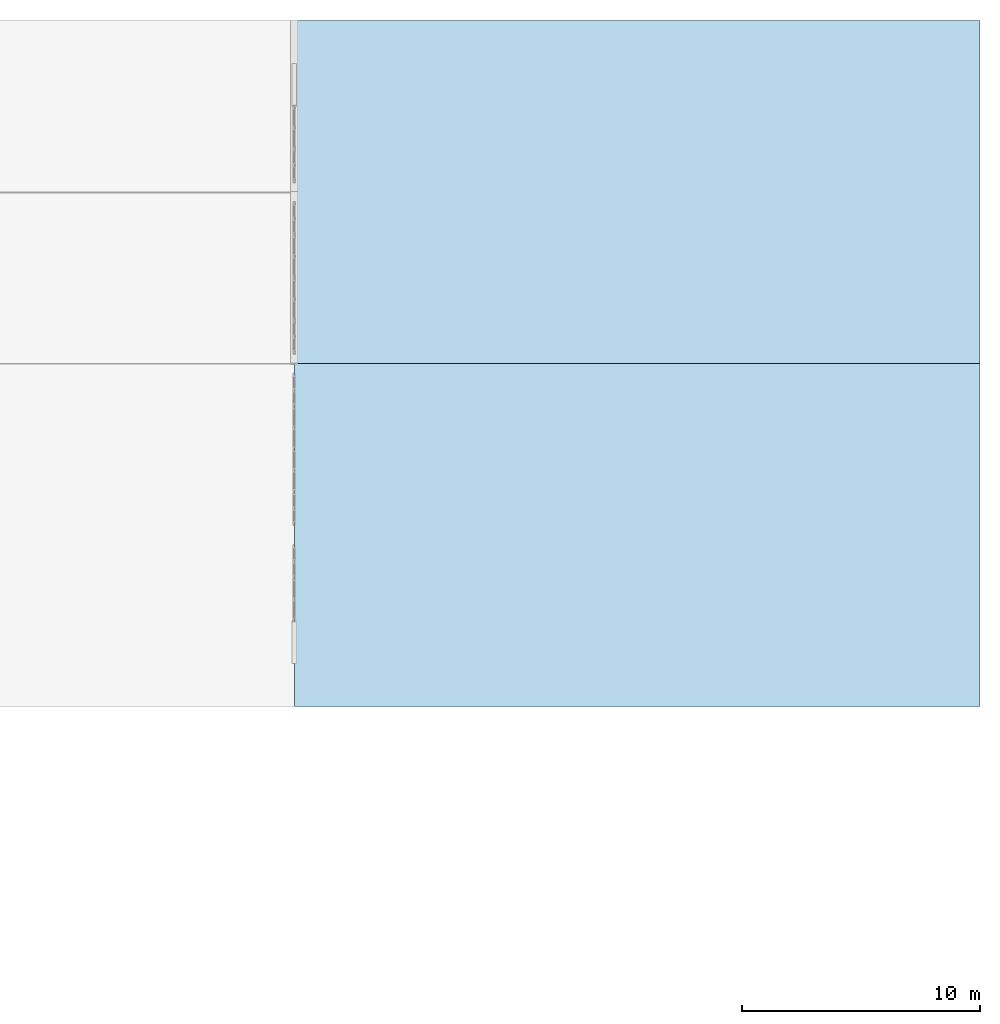
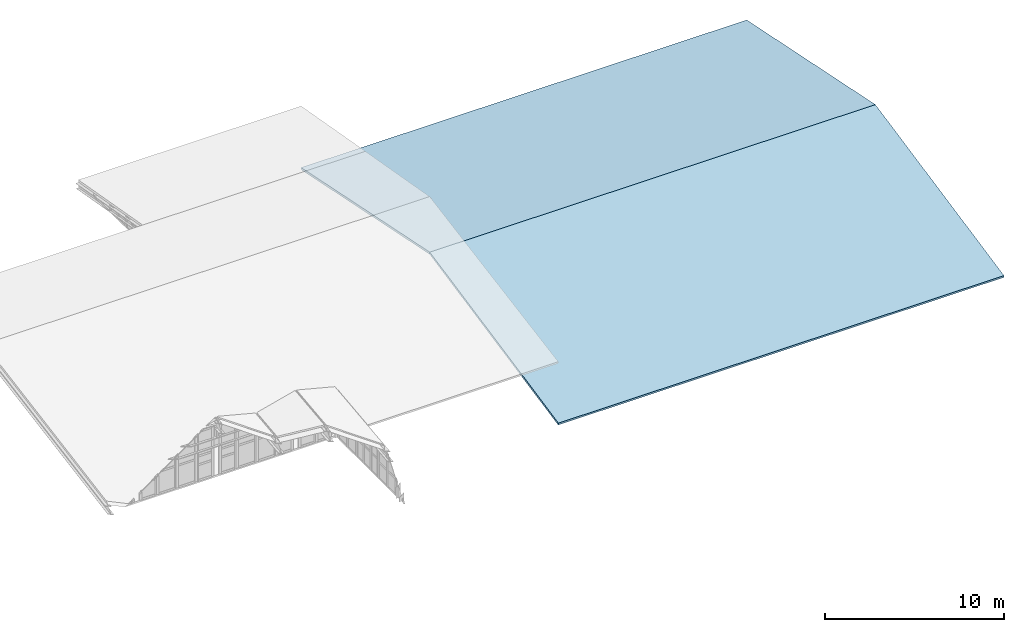
# One storey, part 31 of 39: 2 slabs, 1 element without a shape of its own.
"""IFC4 building model written with IfcOpenShell, lengths in metres."""

from ifc_helpers import new_model, si_unit, direction, frame, origin, place, context, subcontext, project, spatial, polyline, outline, extrude, material, layer, layer_set, type_object, element, aggregate, save


model = new_model("IFC4")

# Units and contexts
model_context = context("Model", 3, precision=1e-05, world=origin(), true_north=direction((0.0, 1.0)))
body_context = subcontext(model_context, "Body", "Model", "MODEL_VIEW")
ifc_project = project(units=[si_unit("LENGTHUNIT", "METRE"), si_unit("AREAUNIT", "SQUARE_METRE"), si_unit("VOLUMEUNIT", "CUBIC_METRE"), si_unit("PLANEANGLEUNIT", "RADIAN"), si_unit("MASSUNIT", "GRAM", prefix="KILO"), si_unit("THERMODYNAMICTEMPERATUREUNIT", "KELVIN"), si_unit("POWERUNIT", "WATT")], contexts=[model_context])

# Site, building, storey
site_placement = place(None, origin())
site = spatial("IfcSite", under=ifc_project, at=site_placement, CompositionType="ELEMENT")
building_placement = place(site_placement, origin())
building = spatial("IfcBuilding", under=site, at=building_placement, Name="Kaldorven Railside Theatre", CompositionType="ELEMENT")
storey_placement = place(building_placement, frame((0.0, 0.0, 27.300048828125)))
storey = spatial("IfcBuildingStorey", under=building, at=storey_placement, Name="ROOF", CompositionType="ELEMENT", Elevation=27.300048828125)

# Roof, slabs
ifc_material = material(Name="Concrete C35/45", Category="concrete")
roof_type = type_object("IfcRoofType", Name="RF-SHED-BOH2", PredefinedType="SHED_ROOF", material=ifc_material)
roof_placement = place(storey_placement, origin())
roof = element("IfcRoof", 1, at=roof_placement, inside=storey, type_object=roof_type, Name="Rehearsal and Core Upper Monsoon Roof", PredefinedType="SHED_ROOF")
ifc_layer = layer(ifc_material, 0.14990234375, Name="Concrete C35/45")
ifc_layer_set = layer_set([ifc_layer], Name="Concrete C35/45")
slab_type = type_object("IfcSlabType", Name="SLB-RSL-150", PredefinedType="ROOF", material=ifc_layer_set)
placement = place(building_placement, frame((0.0, 0.0, 23.10009765625)))
slab_1_placement = place(placement, frame((137.60009765625, 112.800048828125, 0.0), z_axis=(0.0, -0.200691160941, 0.979654560506), x_axis=(1.0, 0.0, 0.0)))
slab_1 = element("IfcSlab", 2, at=slab_1_placement, type_object=slab_type, Name="Backstage Monsoon Roof V6-RF-L05-S", PredefinedType="ROOF", context=body_context, shape_type="SweptSolid", body=[
    extrude(outline(polyline([(0.0, 0.0), (28.7998046875, 0.0), (28.7998046875, 14.698959127298213), (0.0, 14.698959127298213), (0.0, 0.0)])), origin(), (0.0, 0.0, -1.0), 0.14990234375),
])
slab_2_placement = place(placement, frame((137.60009765625, 127.199951171875, 2.949951171875), z_axis=(0.0, 0.200687895455, 0.979655229465), x_axis=(1.0, 0.0, 0.0)))
slab_2 = element("IfcSlab", 3, at=slab_2_placement, type_object=slab_type, Name="Backstage Monsoon Roof V6-RF-L05-N", PredefinedType="ROOF", context=body_context, shape_type="SweptSolid", body=[
    extrude(outline(polyline([(0.0, 0.0), (28.7998046875, 0.0), (28.7998046875, 14.699198300856558), (0.0, 14.699198300856558), (0.0, 0.0)])), origin(), (0.0, 0.0, -1.0), 0.14990234375),
])
aggregate(roof, [slab_1, slab_2])

save(model, "model.ifc")
